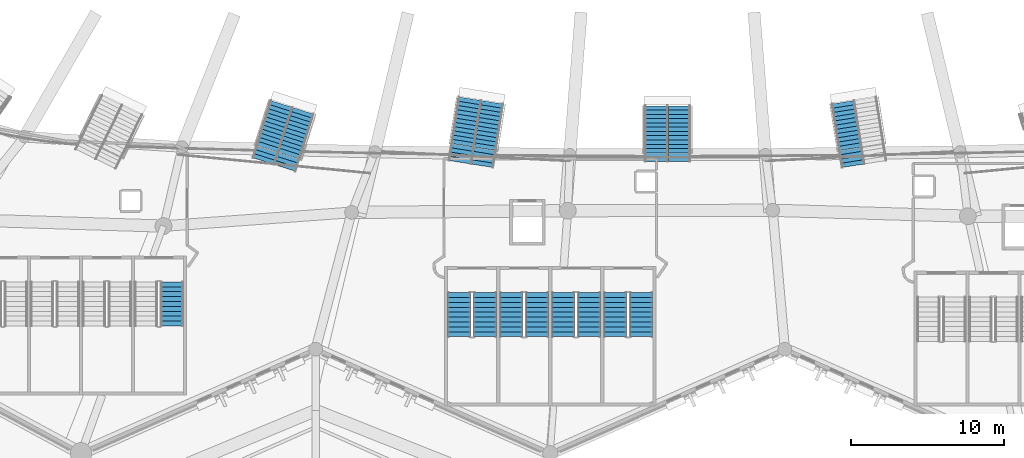
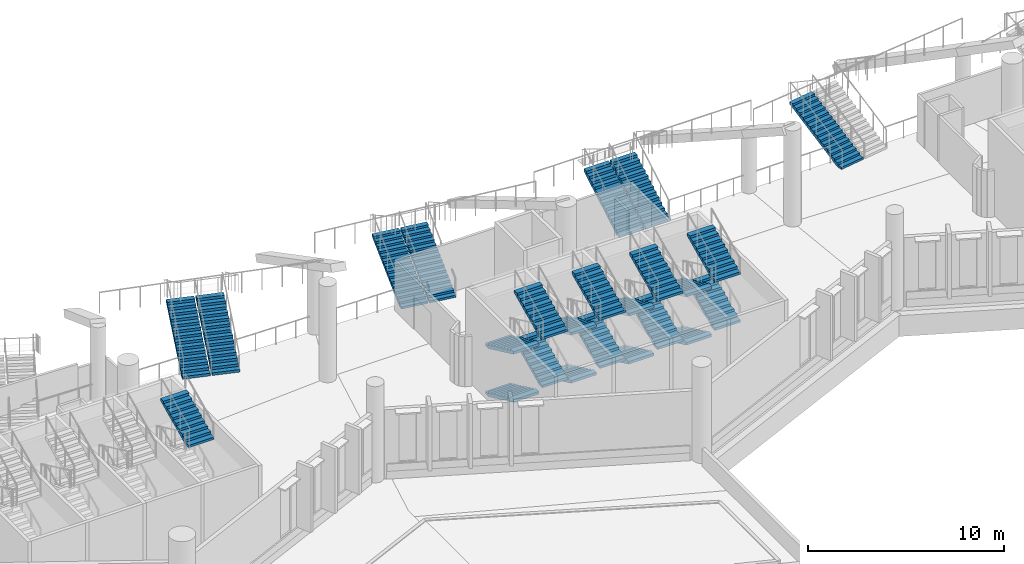
# One storey, part 83 of 173: 24 stair flights, 9 elements without a shape of their own.
"""IFC4 building model written with IfcOpenShell, lengths in metres."""

from ifc_helpers import new_model, si_unit, direction, frame, origin, place, context, subcontext, project, spatial, polyline, outline, extrude, material, type_object, element, aggregate, save


model = new_model("IFC4")

# Units and contexts
model_context = context("Model", 3, precision=1e-05, world=origin(), true_north=direction((0.0, 1.0)))
body_context = subcontext(model_context, "Body", "Model", "MODEL_VIEW")
ifc_project = project(units=[si_unit("LENGTHUNIT", "METRE"), si_unit("AREAUNIT", "SQUARE_METRE"), si_unit("VOLUMEUNIT", "CUBIC_METRE"), si_unit("PLANEANGLEUNIT", "RADIAN"), si_unit("MASSUNIT", "GRAM", prefix="KILO")], contexts=[model_context])

# Site, building, storey
site_placement = place(None, origin())
site = spatial("IfcSite", under=ifc_project, at=site_placement, CompositionType="ELEMENT")
building_placement = place(site_placement, origin())
building = spatial("IfcBuilding", under=site, at=building_placement, Name="Meseta Stadium", CompositionType="ELEMENT")
storey_placement = place(building_placement, frame((0.0, 0.0, 18.0)))
storey = spatial("IfcBuildingStorey", under=building, at=storey_placement, Name="L03", CompositionType="ELEMENT", Elevation=18.0)

# Stair, stair flight
ifc_material_1 = material(Name="Concrete C40/50", Category="concrete")
stair_type_1 = type_object("IfcStairType", Name="Exit stair 4 flights 150 mm risers", PredefinedType="HALF_TURN_STAIR", material=ifc_material_1)
stair_1_placement = place(storey_placement, origin())
stair_1 = element("IfcStair", 1, at=stair_1_placement, inside=storey, type_object=stair_type_1, Name="ST92 L03", PredefinedType="HALF_TURN_STAIR")
ifc_material_2 = material(Name="Concrete C40/50", Category="concrete")
stair_flight_type_1 = type_object("IfcStairFlightType", Name="Exit stair flight 150 mm risers, 4 per storey", PredefinedType="STRAIGHT", material=ifc_material_2)
stair_flight_1_placement = place(storey_placement, frame((-32.38330078125, -97.080078125, 4.5), z_axis=(0.0, 0.0, 1.0), x_axis=(0.0, 1.0, 0.0)))
stair_flight_1 = element("IfcStairFlight", 2, at=stair_flight_1_placement, type_object=stair_flight_type_1, Name="ST92 L03 flight 4", NumberOfRisers=10, NumberOfTreads=9, PredefinedType="STRAIGHT", RiserHeight=0.15, TreadLength=0.32, context=body_context, shape_type="SweptSolid", body=[
    extrude(outline(polyline([(0.0, 0.0), (0.0, 0.14990234375), (0.320068359375, 0.14990234375), (0.320068359375, 0.300048828125), (0.639892578125, 0.300048828125), (0.639892578125, 0.449951171875), (0.9599609375, 0.449951171875), (0.9599609375, 0.60009765625), (1.280029296875, 0.60009765625), (1.280029296875, 0.75), (1.60009765625, 0.75), (1.60009765625, 0.89990234375), (1.919921875, 0.89990234375), (1.919921875, 1.050048828125), (2.239990234375, 1.050048828125), (2.239990234375, 1.199951171875), (2.56005859375, 1.199951171875), (2.56005859375, 1.35009765625), (2.8798828125, 1.35009765625), (2.8798828125, 1.184326171875), (0.353271484375, 0.0), (0.0, 0.0)])), frame((0.0, 0.75, 0.0), z_axis=(0.0, -1.0, 0.0), x_axis=(1.0, 0.0, 0.0)), (0.0, 0.0, 1.0), 1.5),
])
aggregate(stair_1, [stair_flight_1])

# Stair, stair flights
stair_2_placement = place(storey_placement, origin())
stair_2 = element("IfcStair", 3, at=stair_2_placement, inside=storey, type_object=stair_type_1, Name="ST93 L03", PredefinedType="HALF_TURN_STAIR")
stair_flight_2_placement = place(storey_placement, frame((-13.61669921875, -94.89990234375, 0.0), z_axis=(0.0, 0.0, 1.0), x_axis=(0.0, -1.0, 0.0)))
stair_flight_2 = element("IfcStairFlight", 4, at=stair_flight_2_placement, type_object=stair_flight_type_1, Name="ST93 L03 flight 1", NumberOfRisers=10, NumberOfTreads=9, PredefinedType="STRAIGHT", RiserHeight=0.15, TreadLength=0.32, context=body_context, shape_type="SweptSolid", body=[
    extrude(outline(polyline([(0.0, 0.0), (0.0, 0.14990234375), (0.320068359375, 0.14990234375), (0.320068359375, 0.300048828125), (0.639892578125, 0.300048828125), (0.639892578125, 0.449951171875), (0.9599609375, 0.449951171875), (0.9599609375, 0.60009765625), (1.280029296875, 0.60009765625), (1.280029296875, 0.75), (1.60009765625, 0.75), (1.60009765625, 0.89990234375), (1.919921875, 0.89990234375), (1.919921875, 1.050048828125), (2.239990234375, 1.050048828125), (2.239990234375, 1.199951171875), (2.56005859375, 1.199951171875), (2.56005859375, 1.35009765625), (2.8798828125, 1.35009765625), (2.8798828125, 1.184326171875), (0.353271484375, 0.0), (0.0, 0.0)])), frame((0.0, 0.75, 0.0), z_axis=(0.0, -1.0, 0.0), x_axis=(1.0, 0.0, 0.0)), (0.0, 0.0, 1.0), 1.5),
])
stair_flight_3_placement = place(storey_placement, frame((-11.916748046875, -97.780029296875, 1.5), z_axis=(0.0, 0.0, 1.0), x_axis=(0.0, 1.0, 0.0)))
stair_flight_3 = element("IfcStairFlight", 5, at=stair_flight_3_placement, type_object=stair_flight_type_1, Name="ST93 L03 flight 2", NumberOfRisers=10, NumberOfTreads=9, PredefinedType="STRAIGHT", RiserHeight=0.15, TreadLength=0.32, context=body_context, shape_type="SweptSolid", body=[
    extrude(outline(polyline([(0.0, 0.0), (0.0, 0.14990234375), (0.320068359375, 0.14990234375), (0.320068359375, 0.300048828125), (0.639892578125, 0.300048828125), (0.639892578125, 0.449951171875), (0.9599609375, 0.449951171875), (0.9599609375, 0.60009765625), (1.280029296875, 0.60009765625), (1.280029296875, 0.75), (1.60009765625, 0.75), (1.60009765625, 0.89990234375), (1.919921875, 0.89990234375), (1.919921875, 1.050048828125), (2.239990234375, 1.050048828125), (2.239990234375, 1.199951171875), (2.56005859375, 1.199951171875), (2.56005859375, 1.35009765625), (2.8798828125, 1.35009765625), (2.8798828125, 1.184326171875), (0.353271484375, 0.0), (0.0, 0.0)])), frame((0.0, 0.75, 0.0), z_axis=(0.0, -1.0, 0.0), x_axis=(1.0, 0.0, 0.0)), (0.0, 0.0, 1.0), 1.5),
])
stair_flight_4_placement = place(storey_placement, frame((-13.61669921875, -94.89990234375, 3.0), z_axis=(0.0, 0.0, 1.0), x_axis=(0.0, -1.0, 0.0)))
stair_flight_4 = element("IfcStairFlight", 6, at=stair_flight_4_placement, type_object=stair_flight_type_1, Name="ST93 L03 flight 3", NumberOfRisers=10, NumberOfTreads=9, PredefinedType="STRAIGHT", RiserHeight=0.15, TreadLength=0.32, context=body_context, shape_type="SweptSolid", body=[
    extrude(outline(polyline([(0.0, 0.0), (0.0, 0.14990234375), (0.320068359375, 0.14990234375), (0.320068359375, 0.300048828125), (0.639892578125, 0.300048828125), (0.639892578125, 0.449951171875), (0.9599609375, 0.449951171875), (0.9599609375, 0.60009765625), (1.280029296875, 0.60009765625), (1.280029296875, 0.75), (1.60009765625, 0.75), (1.60009765625, 0.89990234375), (1.919921875, 0.89990234375), (1.919921875, 1.050048828125), (2.239990234375, 1.050048828125), (2.239990234375, 1.199951171875), (2.56005859375, 1.199951171875), (2.56005859375, 1.35009765625), (2.8798828125, 1.35009765625), (2.8798828125, 1.184326171875), (0.353271484375, 0.0), (0.0, 0.0)])), frame((0.0, 0.75, 0.0), z_axis=(0.0, -1.0, 0.0), x_axis=(1.0, 0.0, 0.0)), (0.0, 0.0, 1.0), 1.5),
])
stair_flight_5_placement = place(storey_placement, frame((-11.916748046875, -97.780029296875, 4.5), z_axis=(0.0, 0.0, 1.0), x_axis=(0.0, 1.0, 0.0)))
stair_flight_5 = element("IfcStairFlight", 7, at=stair_flight_5_placement, type_object=stair_flight_type_1, Name="ST93 L03 flight 4", NumberOfRisers=10, NumberOfTreads=9, PredefinedType="STRAIGHT", RiserHeight=0.15, TreadLength=0.32, context=body_context, shape_type="SweptSolid", body=[
    extrude(outline(polyline([(0.0, 0.0), (0.0, 0.14990234375), (0.320068359375, 0.14990234375), (0.320068359375, 0.300048828125), (0.639892578125, 0.300048828125), (0.639892578125, 0.449951171875), (0.9599609375, 0.449951171875), (0.9599609375, 0.60009765625), (1.280029296875, 0.60009765625), (1.280029296875, 0.75), (1.60009765625, 0.75), (1.60009765625, 0.89990234375), (1.919921875, 0.89990234375), (1.919921875, 1.050048828125), (2.239990234375, 1.050048828125), (2.239990234375, 1.199951171875), (2.56005859375, 1.199951171875), (2.56005859375, 1.35009765625), (2.8798828125, 1.35009765625), (2.8798828125, 1.184326171875), (0.353271484375, 0.0), (0.0, 0.0)])), frame((0.0, 0.75, 0.0), z_axis=(0.0, -1.0, 0.0), x_axis=(1.0, 0.0, 0.0)), (0.0, 0.0, 1.0), 1.5),
])
aggregate(stair_2, [stair_flight_2, stair_flight_3, stair_flight_4, stair_flight_5])

stair_3_placement = place(storey_placement, origin())
stair_3 = element("IfcStair", 8, at=stair_3_placement, inside=storey, type_object=stair_type_1, Name="ST94 L03", PredefinedType="HALF_TURN_STAIR")
stair_flight_6_placement = place(storey_placement, frame((-10.216552734375, -94.89990234375, 0.0), z_axis=(0.0, 0.0, 1.0), x_axis=(0.0, -1.0, 0.0)))
stair_flight_6 = element("IfcStairFlight", 9, at=stair_flight_6_placement, type_object=stair_flight_type_1, Name="ST94 L03 flight 1", NumberOfRisers=10, NumberOfTreads=9, PredefinedType="STRAIGHT", RiserHeight=0.15, TreadLength=0.32, context=body_context, shape_type="SweptSolid", body=[
    extrude(outline(polyline([(0.0, 0.0), (0.0, 0.14990234375), (0.320068359375, 0.14990234375), (0.320068359375, 0.300048828125), (0.639892578125, 0.300048828125), (0.639892578125, 0.449951171875), (0.9599609375, 0.449951171875), (0.9599609375, 0.60009765625), (1.280029296875, 0.60009765625), (1.280029296875, 0.75), (1.60009765625, 0.75), (1.60009765625, 0.89990234375), (1.919921875, 0.89990234375), (1.919921875, 1.050048828125), (2.239990234375, 1.050048828125), (2.239990234375, 1.199951171875), (2.56005859375, 1.199951171875), (2.56005859375, 1.35009765625), (2.8798828125, 1.35009765625), (2.8798828125, 1.184326171875), (0.353271484375, 0.0), (0.0, 0.0)])), frame((0.0, 0.75, 0.0), z_axis=(0.0, -1.0, 0.0), x_axis=(1.0, 0.0, 0.0)), (0.0, 0.0, 1.0), 1.5),
])
stair_flight_7_placement = place(storey_placement, frame((-8.5166015625, -97.780029296875, 1.5), z_axis=(0.0, 0.0, 1.0), x_axis=(0.0, 1.0, 0.0)))
stair_flight_7 = element("IfcStairFlight", 10, at=stair_flight_7_placement, type_object=stair_flight_type_1, Name="ST94 L03 flight 2", NumberOfRisers=10, NumberOfTreads=9, PredefinedType="STRAIGHT", RiserHeight=0.15, TreadLength=0.32, context=body_context, shape_type="SweptSolid", body=[
    extrude(outline(polyline([(0.0, 0.0), (0.0, 0.14990234375), (0.320068359375, 0.14990234375), (0.320068359375, 0.300048828125), (0.639892578125, 0.300048828125), (0.639892578125, 0.449951171875), (0.9599609375, 0.449951171875), (0.9599609375, 0.60009765625), (1.280029296875, 0.60009765625), (1.280029296875, 0.75), (1.60009765625, 0.75), (1.60009765625, 0.89990234375), (1.919921875, 0.89990234375), (1.919921875, 1.050048828125), (2.239990234375, 1.050048828125), (2.239990234375, 1.199951171875), (2.56005859375, 1.199951171875), (2.56005859375, 1.35009765625), (2.8798828125, 1.35009765625), (2.8798828125, 1.184326171875), (0.353271484375, 0.0), (0.0, 0.0)])), frame((0.0, 0.75, 0.0), z_axis=(0.0, -1.0, 0.0), x_axis=(1.0, 0.0, 0.0)), (0.0, 0.0, 1.0), 1.5),
])
stair_flight_8_placement = place(storey_placement, frame((-10.216552734375, -94.89990234375, 3.0), z_axis=(0.0, 0.0, 1.0), x_axis=(0.0, -1.0, 0.0)))
stair_flight_8 = element("IfcStairFlight", 11, at=stair_flight_8_placement, type_object=stair_flight_type_1, Name="ST94 L03 flight 3", NumberOfRisers=10, NumberOfTreads=9, PredefinedType="STRAIGHT", RiserHeight=0.15, TreadLength=0.32, context=body_context, shape_type="SweptSolid", body=[
    extrude(outline(polyline([(0.0, 0.0), (0.0, 0.14990234375), (0.320068359375, 0.14990234375), (0.320068359375, 0.300048828125), (0.639892578125, 0.300048828125), (0.639892578125, 0.449951171875), (0.9599609375, 0.449951171875), (0.9599609375, 0.60009765625), (1.280029296875, 0.60009765625), (1.280029296875, 0.75), (1.60009765625, 0.75), (1.60009765625, 0.89990234375), (1.919921875, 0.89990234375), (1.919921875, 1.050048828125), (2.239990234375, 1.050048828125), (2.239990234375, 1.199951171875), (2.56005859375, 1.199951171875), (2.56005859375, 1.35009765625), (2.8798828125, 1.35009765625), (2.8798828125, 1.184326171875), (0.353271484375, 0.0), (0.0, 0.0)])), frame((0.0, 0.75, 0.0), z_axis=(0.0, -1.0, 0.0), x_axis=(1.0, 0.0, 0.0)), (0.0, 0.0, 1.0), 1.5),
])
stair_flight_9_placement = place(storey_placement, frame((-8.5166015625, -97.780029296875, 4.5), z_axis=(0.0, 0.0, 1.0), x_axis=(0.0, 1.0, 0.0)))
stair_flight_9 = element("IfcStairFlight", 12, at=stair_flight_9_placement, type_object=stair_flight_type_1, Name="ST94 L03 flight 4", NumberOfRisers=10, NumberOfTreads=9, PredefinedType="STRAIGHT", RiserHeight=0.15, TreadLength=0.32, context=body_context, shape_type="SweptSolid", body=[
    extrude(outline(polyline([(0.0, 0.0), (0.0, 0.14990234375), (0.320068359375, 0.14990234375), (0.320068359375, 0.300048828125), (0.639892578125, 0.300048828125), (0.639892578125, 0.449951171875), (0.9599609375, 0.449951171875), (0.9599609375, 0.60009765625), (1.280029296875, 0.60009765625), (1.280029296875, 0.75), (1.60009765625, 0.75), (1.60009765625, 0.89990234375), (1.919921875, 0.89990234375), (1.919921875, 1.050048828125), (2.239990234375, 1.050048828125), (2.239990234375, 1.199951171875), (2.56005859375, 1.199951171875), (2.56005859375, 1.35009765625), (2.8798828125, 1.35009765625), (2.8798828125, 1.184326171875), (0.353271484375, 0.0), (0.0, 0.0)])), frame((0.0, 0.75, 0.0), z_axis=(0.0, -1.0, 0.0), x_axis=(1.0, 0.0, 0.0)), (0.0, 0.0, 1.0), 1.5),
])
aggregate(stair_3, [stair_flight_6, stair_flight_7, stair_flight_8, stair_flight_9])

stair_4_placement = place(storey_placement, origin())
stair_4 = element("IfcStair", 13, at=stair_4_placement, inside=storey, type_object=stair_type_1, Name="ST95 L03", PredefinedType="HALF_TURN_STAIR")
stair_flight_10_placement = place(storey_placement, frame((-6.816650390625, -94.89990234375, 0.0), z_axis=(0.0, 0.0, 1.0), x_axis=(0.0, -1.0, 0.0)))
stair_flight_10 = element("IfcStairFlight", 14, at=stair_flight_10_placement, type_object=stair_flight_type_1, Name="ST95 L03 flight 1", NumberOfRisers=10, NumberOfTreads=9, PredefinedType="STRAIGHT", RiserHeight=0.15, TreadLength=0.32, context=body_context, shape_type="SweptSolid", body=[
    extrude(outline(polyline([(0.0, 0.0), (0.0, 0.14990234375), (0.320068359375, 0.14990234375), (0.320068359375, 0.300048828125), (0.639892578125, 0.300048828125), (0.639892578125, 0.449951171875), (0.9599609375, 0.449951171875), (0.9599609375, 0.60009765625), (1.280029296875, 0.60009765625), (1.280029296875, 0.75), (1.60009765625, 0.75), (1.60009765625, 0.89990234375), (1.919921875, 0.89990234375), (1.919921875, 1.050048828125), (2.239990234375, 1.050048828125), (2.239990234375, 1.199951171875), (2.56005859375, 1.199951171875), (2.56005859375, 1.35009765625), (2.8798828125, 1.35009765625), (2.8798828125, 1.184326171875), (0.353271484375, 0.0), (0.0, 0.0)])), frame((0.0, 0.75, 0.0), z_axis=(0.0, -1.0, 0.0), x_axis=(1.0, 0.0, 0.0)), (0.0, 0.0, 1.0), 1.5),
])
stair_flight_11_placement = place(storey_placement, frame((-5.11669921875, -97.780029296875, 1.5), z_axis=(0.0, 0.0, 1.0), x_axis=(0.0, 1.0, 0.0)))
stair_flight_11 = element("IfcStairFlight", 15, at=stair_flight_11_placement, type_object=stair_flight_type_1, Name="ST95 L03 flight 2", NumberOfRisers=10, NumberOfTreads=9, PredefinedType="STRAIGHT", RiserHeight=0.15, TreadLength=0.32, context=body_context, shape_type="SweptSolid", body=[
    extrude(outline(polyline([(0.0, 0.0), (0.0, 0.14990234375), (0.320068359375, 0.14990234375), (0.320068359375, 0.300048828125), (0.639892578125, 0.300048828125), (0.639892578125, 0.449951171875), (0.9599609375, 0.449951171875), (0.9599609375, 0.60009765625), (1.280029296875, 0.60009765625), (1.280029296875, 0.75), (1.60009765625, 0.75), (1.60009765625, 0.89990234375), (1.919921875, 0.89990234375), (1.919921875, 1.050048828125), (2.239990234375, 1.050048828125), (2.239990234375, 1.199951171875), (2.56005859375, 1.199951171875), (2.56005859375, 1.35009765625), (2.8798828125, 1.35009765625), (2.8798828125, 1.184326171875), (0.353271484375, 0.0), (0.0, 0.0)])), frame((0.0, 0.75, 0.0), z_axis=(0.0, -1.0, 0.0), x_axis=(1.0, 0.0, 0.0)), (0.0, 0.0, 1.0), 1.5),
])
stair_flight_12_placement = place(storey_placement, frame((-6.816650390625, -94.89990234375, 3.0), z_axis=(0.0, 0.0, 1.0), x_axis=(0.0, -1.0, 0.0)))
stair_flight_12 = element("IfcStairFlight", 16, at=stair_flight_12_placement, type_object=stair_flight_type_1, Name="ST95 L03 flight 3", NumberOfRisers=10, NumberOfTreads=9, PredefinedType="STRAIGHT", RiserHeight=0.15, TreadLength=0.32, context=body_context, shape_type="SweptSolid", body=[
    extrude(outline(polyline([(0.0, 0.0), (0.0, 0.14990234375), (0.320068359375, 0.14990234375), (0.320068359375, 0.300048828125), (0.639892578125, 0.300048828125), (0.639892578125, 0.449951171875), (0.9599609375, 0.449951171875), (0.9599609375, 0.60009765625), (1.280029296875, 0.60009765625), (1.280029296875, 0.75), (1.60009765625, 0.75), (1.60009765625, 0.89990234375), (1.919921875, 0.89990234375), (1.919921875, 1.050048828125), (2.239990234375, 1.050048828125), (2.239990234375, 1.199951171875), (2.56005859375, 1.199951171875), (2.56005859375, 1.35009765625), (2.8798828125, 1.35009765625), (2.8798828125, 1.184326171875), (0.353271484375, 0.0), (0.0, 0.0)])), frame((0.0, 0.75, 0.0), z_axis=(0.0, -1.0, 0.0), x_axis=(1.0, 0.0, 0.0)), (0.0, 0.0, 1.0), 1.5),
])
stair_flight_13_placement = place(storey_placement, frame((-5.11669921875, -97.780029296875, 4.5), z_axis=(0.0, 0.0, 1.0), x_axis=(0.0, 1.0, 0.0)))
stair_flight_13 = element("IfcStairFlight", 17, at=stair_flight_13_placement, type_object=stair_flight_type_1, Name="ST95 L03 flight 4", NumberOfRisers=10, NumberOfTreads=9, PredefinedType="STRAIGHT", RiserHeight=0.15, TreadLength=0.32, context=body_context, shape_type="SweptSolid", body=[
    extrude(outline(polyline([(0.0, 0.0), (0.0, 0.14990234375), (0.320068359375, 0.14990234375), (0.320068359375, 0.300048828125), (0.639892578125, 0.300048828125), (0.639892578125, 0.449951171875), (0.9599609375, 0.449951171875), (0.9599609375, 0.60009765625), (1.280029296875, 0.60009765625), (1.280029296875, 0.75), (1.60009765625, 0.75), (1.60009765625, 0.89990234375), (1.919921875, 0.89990234375), (1.919921875, 1.050048828125), (2.239990234375, 1.050048828125), (2.239990234375, 1.199951171875), (2.56005859375, 1.199951171875), (2.56005859375, 1.35009765625), (2.8798828125, 1.35009765625), (2.8798828125, 1.184326171875), (0.353271484375, 0.0), (0.0, 0.0)])), frame((0.0, 0.75, 0.0), z_axis=(0.0, -1.0, 0.0), x_axis=(1.0, 0.0, 0.0)), (0.0, 0.0, 1.0), 1.5),
])
aggregate(stair_4, [stair_flight_10, stair_flight_11, stair_flight_12, stair_flight_13])

stair_5_placement = place(storey_placement, origin())
stair_5 = element("IfcStair", 18, at=stair_5_placement, inside=storey, type_object=stair_type_1, Name="ST96 L03", PredefinedType="HALF_TURN_STAIR")
stair_flight_14_placement = place(storey_placement, frame((-3.416748046875, -94.89990234375, 0.0), z_axis=(0.0, 0.0, 1.0), x_axis=(0.0, -1.0, 0.0)))
stair_flight_14 = element("IfcStairFlight", 19, at=stair_flight_14_placement, type_object=stair_flight_type_1, Name="ST96 L03 flight 1", NumberOfRisers=10, NumberOfTreads=9, PredefinedType="STRAIGHT", RiserHeight=0.15, TreadLength=0.32, context=body_context, shape_type="SweptSolid", body=[
    extrude(outline(polyline([(0.0, 0.0), (0.0, 0.14990234375), (0.320068359375, 0.14990234375), (0.320068359375, 0.300048828125), (0.639892578125, 0.300048828125), (0.639892578125, 0.449951171875), (0.9599609375, 0.449951171875), (0.9599609375, 0.60009765625), (1.280029296875, 0.60009765625), (1.280029296875, 0.75), (1.60009765625, 0.75), (1.60009765625, 0.89990234375), (1.919921875, 0.89990234375), (1.919921875, 1.050048828125), (2.239990234375, 1.050048828125), (2.239990234375, 1.199951171875), (2.56005859375, 1.199951171875), (2.56005859375, 1.35009765625), (2.8798828125, 1.35009765625), (2.8798828125, 1.184326171875), (0.353271484375, 0.0), (0.0, 0.0)])), frame((0.0, 0.75, 0.0), z_axis=(0.0, -1.0, 0.0), x_axis=(1.0, 0.0, 0.0)), (0.0, 0.0, 1.0), 1.5),
])
stair_flight_15_placement = place(storey_placement, frame((-1.716552734375, -97.780029296875, 1.5), z_axis=(0.0, 0.0, 1.0), x_axis=(0.0, 1.0, 0.0)))
stair_flight_15 = element("IfcStairFlight", 20, at=stair_flight_15_placement, type_object=stair_flight_type_1, Name="ST96 L03 flight 2", NumberOfRisers=10, NumberOfTreads=9, PredefinedType="STRAIGHT", RiserHeight=0.15, TreadLength=0.32, context=body_context, shape_type="SweptSolid", body=[
    extrude(outline(polyline([(0.0, 0.0), (0.0, 0.14990234375), (0.320068359375, 0.14990234375), (0.320068359375, 0.300048828125), (0.639892578125, 0.300048828125), (0.639892578125, 0.449951171875), (0.9599609375, 0.449951171875), (0.9599609375, 0.60009765625), (1.280029296875, 0.60009765625), (1.280029296875, 0.75), (1.60009765625, 0.75), (1.60009765625, 0.89990234375), (1.919921875, 0.89990234375), (1.919921875, 1.050048828125), (2.239990234375, 1.050048828125), (2.239990234375, 1.199951171875), (2.56005859375, 1.199951171875), (2.56005859375, 1.35009765625), (2.8798828125, 1.35009765625), (2.8798828125, 1.184326171875), (0.353271484375, 0.0), (0.0, 0.0)])), frame((0.0, 0.75, 0.0), z_axis=(0.0, -1.0, 0.0), x_axis=(1.0, 0.0, 0.0)), (0.0, 0.0, 1.0), 1.5),
])
stair_flight_16_placement = place(storey_placement, frame((-3.416748046875, -94.89990234375, 3.0), z_axis=(0.0, 0.0, 1.0), x_axis=(0.0, -1.0, 0.0)))
stair_flight_16 = element("IfcStairFlight", 21, at=stair_flight_16_placement, type_object=stair_flight_type_1, Name="ST96 L03 flight 3", NumberOfRisers=10, NumberOfTreads=9, PredefinedType="STRAIGHT", RiserHeight=0.15, TreadLength=0.32, context=body_context, shape_type="SweptSolid", body=[
    extrude(outline(polyline([(0.0, 0.0), (0.0, 0.14990234375), (0.320068359375, 0.14990234375), (0.320068359375, 0.300048828125), (0.639892578125, 0.300048828125), (0.639892578125, 0.449951171875), (0.9599609375, 0.449951171875), (0.9599609375, 0.60009765625), (1.280029296875, 0.60009765625), (1.280029296875, 0.75), (1.60009765625, 0.75), (1.60009765625, 0.89990234375), (1.919921875, 0.89990234375), (1.919921875, 1.050048828125), (2.239990234375, 1.050048828125), (2.239990234375, 1.199951171875), (2.56005859375, 1.199951171875), (2.56005859375, 1.35009765625), (2.8798828125, 1.35009765625), (2.8798828125, 1.184326171875), (0.353271484375, 0.0), (0.0, 0.0)])), frame((0.0, 0.75, 0.0), z_axis=(0.0, -1.0, 0.0), x_axis=(1.0, 0.0, 0.0)), (0.0, 0.0, 1.0), 1.5),
])
stair_flight_17_placement = place(storey_placement, frame((-1.716552734375, -97.780029296875, 4.5), z_axis=(0.0, 0.0, 1.0), x_axis=(0.0, 1.0, 0.0)))
stair_flight_17 = element("IfcStairFlight", 22, at=stair_flight_17_placement, type_object=stair_flight_type_1, Name="ST96 L03 flight 4", NumberOfRisers=10, NumberOfTreads=9, PredefinedType="STRAIGHT", RiserHeight=0.15, TreadLength=0.32, context=body_context, shape_type="SweptSolid", body=[
    extrude(outline(polyline([(0.0, 0.0), (0.0, 0.14990234375), (0.320068359375, 0.14990234375), (0.320068359375, 0.300048828125), (0.639892578125, 0.300048828125), (0.639892578125, 0.449951171875), (0.9599609375, 0.449951171875), (0.9599609375, 0.60009765625), (1.280029296875, 0.60009765625), (1.280029296875, 0.75), (1.60009765625, 0.75), (1.60009765625, 0.89990234375), (1.919921875, 0.89990234375), (1.919921875, 1.050048828125), (2.239990234375, 1.050048828125), (2.239990234375, 1.199951171875), (2.56005859375, 1.199951171875), (2.56005859375, 1.35009765625), (2.8798828125, 1.35009765625), (2.8798828125, 1.184326171875), (0.353271484375, 0.0), (0.0, 0.0)])), frame((0.0, 0.75, 0.0), z_axis=(0.0, -1.0, 0.0), x_axis=(1.0, 0.0, 0.0)), (0.0, 0.0, 1.0), 1.5),
])
aggregate(stair_5, [stair_flight_14, stair_flight_15, stair_flight_16, stair_flight_17])

ifc_material_3 = material(Name="Concrete C40/50", Category="concrete")
stair_type_2 = type_object("IfcStairType", Name="Vomitory stair 3000", PredefinedType="STRAIGHT_RUN_STAIR", material=ifc_material_3)
stair_6_placement = place(storey_placement, origin())
stair_6 = element("IfcStair", 23, at=stair_6_placement, inside=storey, type_object=stair_type_2, Name="Vomitory V-upper-45", PredefinedType="STRAIGHT_RUN_STAIR")
ifc_material_4 = material(Name="Concrete C40/50", Category="concrete")
stair_flight_type_2 = type_object("IfcStairFlightType", Name="Vomitory stair flight 1450", PredefinedType="STRAIGHT", material=ifc_material_4)
stair_flight_18_placement = place(storey_placement, frame((-26.451416015625, -86.29052734375, 0.0), z_axis=(0.0, 0.0, 1.0), x_axis=(0.302579501013, 0.953124150133, 0.0)))
stair_flight_18 = element("IfcStairFlight", 24, at=stair_flight_18_placement, type_object=stair_flight_type_2, Name="Vomitory V-upper-45 flight 1", NumberOfRisers=15, NumberOfTreads=14, PredefinedType="STRAIGHT", RiserHeight=0.165024, TreadLength=0.28, context=body_context, shape_type="SweptSolid", body=[
    extrude(outline(polyline([(0.0, 0.0), (0.0, 0.1650390625), (0.280029296875, 0.1650390625), (0.280029296875, 0.330078125), (0.56005859375, 0.330078125), (0.56005859375, 0.4951171875), (0.840087890625, 0.4951171875), (0.840087890625, 0.66015625), (1.1201171875, 0.66015625), (1.1201171875, 0.8251953125), (1.39990234375, 0.8251953125), (1.39990234375, 0.990234375), (1.679931640625, 0.990234375), (1.679931640625, 1.1552734375), (1.9599609375, 1.1552734375), (1.9599609375, 1.3203125), (2.239990234375, 1.3203125), (2.239990234375, 1.485107421875), (2.52001953125, 1.485107421875), (2.52001953125, 1.650146484375), (2.800048828125, 1.650146484375), (2.800048828125, 1.815185546875), (3.080078125, 1.815185546875), (3.080078125, 1.980224609375), (3.360107421875, 1.980224609375), (3.360107421875, 2.145263671875), (3.639892578125, 2.145263671875), (3.639892578125, 2.310302734375), (3.919921875, 2.310302734375), (3.919921875, 2.13623046875), (0.295166015625, 0.0), (0.0, 0.0)])), frame((0.0, 0.72509765625, 0.0), z_axis=(0.0, -1.0, 0.0), x_axis=(1.0, 0.0, 0.0)), (0.0, 0.0, 1.0), 1.449951171875),
])
stair_flight_19_placement = place(storey_placement, frame((-24.97412109375, -86.759521484375, 0.0), z_axis=(0.0, 0.0, 1.0), x_axis=(0.302579501013, 0.953124150133, 0.0)))
stair_flight_19 = element("IfcStairFlight", 25, at=stair_flight_19_placement, type_object=stair_flight_type_2, Name="Vomitory V-upper-45 flight 2", NumberOfRisers=15, NumberOfTreads=14, PredefinedType="STRAIGHT", RiserHeight=0.165024, TreadLength=0.28, context=body_context, shape_type="SweptSolid", body=[
    extrude(outline(polyline([(0.0, 0.0), (0.0, 0.1650390625), (0.280029296875, 0.1650390625), (0.280029296875, 0.330078125), (0.56005859375, 0.330078125), (0.56005859375, 0.4951171875), (0.840087890625, 0.4951171875), (0.840087890625, 0.66015625), (1.1201171875, 0.66015625), (1.1201171875, 0.8251953125), (1.39990234375, 0.8251953125), (1.39990234375, 0.990234375), (1.679931640625, 0.990234375), (1.679931640625, 1.1552734375), (1.9599609375, 1.1552734375), (1.9599609375, 1.3203125), (2.239990234375, 1.3203125), (2.239990234375, 1.485107421875), (2.52001953125, 1.485107421875), (2.52001953125, 1.650146484375), (2.800048828125, 1.650146484375), (2.800048828125, 1.815185546875), (3.080078125, 1.815185546875), (3.080078125, 1.980224609375), (3.360107421875, 1.980224609375), (3.360107421875, 2.145263671875), (3.639892578125, 2.145263671875), (3.639892578125, 2.310302734375), (3.919921875, 2.310302734375), (3.919921875, 2.13623046875), (0.295166015625, 0.0), (0.0, 0.0)])), frame((0.0, 0.72509765625, 0.0), z_axis=(0.0, -1.0, 0.0), x_axis=(1.0, 0.0, 0.0)), (0.0, 0.0, 1.0), 1.449951171875),
])
aggregate(stair_6, [stair_flight_18, stair_flight_19])

stair_7_placement = place(storey_placement, origin())
stair_7 = element("IfcStair", 26, at=stair_7_placement, inside=storey, type_object=stair_type_2, Name="Vomitory V-upper-46", PredefinedType="STRAIGHT_RUN_STAIR")
stair_flight_20_placement = place(storey_placement, frame((-13.615478515625, -86.369873046875, 0.0), z_axis=(0.0, 0.0, 1.0), x_axis=(0.15676715754, 0.987635589839, 0.0)))
stair_flight_20 = element("IfcStairFlight", 27, at=stair_flight_20_placement, type_object=stair_flight_type_2, Name="Vomitory V-upper-46 flight 1", NumberOfRisers=16, NumberOfTreads=15, PredefinedType="STRAIGHT", RiserHeight=0.13111, TreadLength=0.28, context=body_context, shape_type="SweptSolid", body=[
    extrude(outline(polyline([(0.0, 0.0), (0.0, 0.131103515625), (0.280029296875, 0.131103515625), (0.280029296875, 0.26220703125), (0.56005859375, 0.26220703125), (0.56005859375, 0.393310546875), (0.840087890625, 0.393310546875), (0.840087890625, 0.5244140625), (1.1201171875, 0.5244140625), (1.1201171875, 0.655517578125), (1.39990234375, 0.655517578125), (1.39990234375, 0.78662109375), (1.679931640625, 0.78662109375), (1.679931640625, 0.917724609375), (1.9599609375, 0.917724609375), (1.9599609375, 1.048828125), (2.239990234375, 1.048828125), (2.239990234375, 1.179931640625), (2.52001953125, 1.179931640625), (2.52001953125, 1.31103515625), (2.800048828125, 1.31103515625), (2.800048828125, 1.442138671875), (3.080078125, 1.442138671875), (3.080078125, 1.5732421875), (3.360107421875, 1.5732421875), (3.360107421875, 1.704345703125), (3.639892578125, 1.704345703125), (3.639892578125, 1.83544921875), (3.919921875, 1.83544921875), (3.919921875, 1.966552734375), (4.199951171875, 1.966552734375), (4.199951171875, 1.801025390625), (0.353515625, 0.0), (0.0, 0.0)])), frame((0.0, 0.72509765625, 0.0), z_axis=(0.0, -1.0, 0.0), x_axis=(1.0, 0.0, 0.0)), (0.0, 0.0, 1.0), 1.449951171875),
])
stair_flight_21_placement = place(storey_placement, frame((-12.084716796875, -86.61279296875, 0.0), z_axis=(0.0, 0.0, 1.0), x_axis=(0.15676715754, 0.987635589839, 0.0)))
stair_flight_21 = element("IfcStairFlight", 28, at=stair_flight_21_placement, type_object=stair_flight_type_2, Name="Vomitory V-upper-46 flight 2", NumberOfRisers=16, NumberOfTreads=15, PredefinedType="STRAIGHT", RiserHeight=0.13111, TreadLength=0.28, context=body_context, shape_type="SweptSolid", body=[
    extrude(outline(polyline([(0.0, 0.0), (0.0, 0.131103515625), (0.280029296875, 0.131103515625), (0.280029296875, 0.26220703125), (0.56005859375, 0.26220703125), (0.56005859375, 0.393310546875), (0.840087890625, 0.393310546875), (0.840087890625, 0.5244140625), (1.1201171875, 0.5244140625), (1.1201171875, 0.655517578125), (1.39990234375, 0.655517578125), (1.39990234375, 0.78662109375), (1.679931640625, 0.78662109375), (1.679931640625, 0.917724609375), (1.9599609375, 0.917724609375), (1.9599609375, 1.048828125), (2.239990234375, 1.048828125), (2.239990234375, 1.179931640625), (2.52001953125, 1.179931640625), (2.52001953125, 1.31103515625), (2.800048828125, 1.31103515625), (2.800048828125, 1.442138671875), (3.080078125, 1.442138671875), (3.080078125, 1.5732421875), (3.360107421875, 1.5732421875), (3.360107421875, 1.704345703125), (3.639892578125, 1.704345703125), (3.639892578125, 1.83544921875), (3.919921875, 1.83544921875), (3.919921875, 1.966552734375), (4.199951171875, 1.966552734375), (4.199951171875, 1.801025390625), (0.353515625, 0.0), (0.0, 0.0)])), frame((0.0, 0.72509765625, 0.0), z_axis=(0.0, -1.0, 0.0), x_axis=(1.0, 0.0, 0.0)), (0.0, 0.0, 1.0), 1.449951171875),
])
aggregate(stair_7, [stair_flight_20, stair_flight_21])

stair_8_placement = place(storey_placement, origin())
stair_8 = element("IfcStair", 29, at=stair_8_placement, inside=storey, type_object=stair_type_2, Name="Vomitory V-upper-47", PredefinedType="STRAIGHT_RUN_STAIR")
stair_flight_22_placement = place(storey_placement, frame((-0.77490234375, -86.326904296875, 0.0), z_axis=(0.0, 0.0, 1.0), x_axis=(0.0, 1.0, 0.0)))
stair_flight_22 = element("IfcStairFlight", 30, at=stair_flight_22_placement, type_object=stair_flight_type_2, Name="Vomitory V-upper-47 flight 1", NumberOfRisers=14, NumberOfTreads=13, PredefinedType="STRAIGHT", RiserHeight=0.163093, TreadLength=0.28, context=body_context, shape_type="SweptSolid", body=[
    extrude(outline(polyline([(0.0, 0.0), (0.0, 0.1630859375), (0.280029296875, 0.1630859375), (0.280029296875, 0.326171875), (0.56005859375, 0.326171875), (0.56005859375, 0.4892578125), (0.840087890625, 0.4892578125), (0.840087890625, 0.65234375), (1.1201171875, 0.65234375), (1.1201171875, 0.8154296875), (1.39990234375, 0.8154296875), (1.39990234375, 0.978515625), (1.679931640625, 0.978515625), (1.679931640625, 1.1416015625), (1.9599609375, 1.1416015625), (1.9599609375, 1.3046875), (2.239990234375, 1.3046875), (2.239990234375, 1.4677734375), (2.52001953125, 1.4677734375), (2.52001953125, 1.630859375), (2.800048828125, 1.630859375), (2.800048828125, 1.7939453125), (3.080078125, 1.7939453125), (3.080078125, 1.95703125), (3.360107421875, 1.95703125), (3.360107421875, 2.1201171875), (3.639892578125, 2.1201171875), (3.639892578125, 1.94677734375), (0.2978515625, 0.0), (0.0, 0.0)])), frame((0.0, 0.72509765625, 0.0), z_axis=(0.0, -1.0, 0.0), x_axis=(1.0, 0.0, 0.0)), (0.0, 0.0, 1.0), 1.449951171875),
])
stair_flight_23_placement = place(storey_placement, frame((0.77490234375, -86.326904296875, 0.0), z_axis=(0.0, 0.0, 1.0), x_axis=(0.0, 1.0, 0.0)))
stair_flight_23 = element("IfcStairFlight", 31, at=stair_flight_23_placement, type_object=stair_flight_type_2, Name="Vomitory V-upper-47 flight 2", NumberOfRisers=14, NumberOfTreads=13, PredefinedType="STRAIGHT", RiserHeight=0.163093, TreadLength=0.28, context=body_context, shape_type="SweptSolid", body=[
    extrude(outline(polyline([(0.0, 0.0), (0.0, 0.1630859375), (0.280029296875, 0.1630859375), (0.280029296875, 0.326171875), (0.56005859375, 0.326171875), (0.56005859375, 0.4892578125), (0.840087890625, 0.4892578125), (0.840087890625, 0.65234375), (1.1201171875, 0.65234375), (1.1201171875, 0.8154296875), (1.39990234375, 0.8154296875), (1.39990234375, 0.978515625), (1.679931640625, 0.978515625), (1.679931640625, 1.1416015625), (1.9599609375, 1.1416015625), (1.9599609375, 1.3046875), (2.239990234375, 1.3046875), (2.239990234375, 1.4677734375), (2.52001953125, 1.4677734375), (2.52001953125, 1.630859375), (2.800048828125, 1.630859375), (2.800048828125, 1.7939453125), (3.080078125, 1.7939453125), (3.080078125, 1.95703125), (3.360107421875, 1.95703125), (3.360107421875, 2.1201171875), (3.639892578125, 2.1201171875), (3.639892578125, 1.94677734375), (0.2978515625, 0.0), (0.0, 0.0)])), frame((0.0, 0.72509765625, 0.0), z_axis=(0.0, -1.0, 0.0), x_axis=(1.0, 0.0, 0.0)), (0.0, 0.0, 1.0), 1.449951171875),
])
aggregate(stair_8, [stair_flight_22, stair_flight_23])

# Stair, stair flight
stair_9_placement = place(storey_placement, origin())
stair_9 = element("IfcStair", 32, at=stair_9_placement, inside=storey, type_object=stair_type_2, Name="Vomitory V-upper-48", PredefinedType="STRAIGHT_RUN_STAIR")
stair_flight_24_placement = place(storey_placement, frame((12.084716796875, -86.61279296875, 0.0), z_axis=(0.0, 0.0, 1.0), x_axis=(-0.15676715754, 0.987635589839, 0.0)))
stair_flight_24 = element("IfcStairFlight", 33, at=stair_flight_24_placement, type_object=stair_flight_type_2, Name="Vomitory V-upper-48 flight 1", NumberOfRisers=16, NumberOfTreads=15, PredefinedType="STRAIGHT", RiserHeight=0.13111, TreadLength=0.28, context=body_context, shape_type="SweptSolid", body=[
    extrude(outline(polyline([(0.0, 0.0), (0.0, 0.131103515625), (0.280029296875, 0.131103515625), (0.280029296875, 0.26220703125), (0.56005859375, 0.26220703125), (0.56005859375, 0.393310546875), (0.840087890625, 0.393310546875), (0.840087890625, 0.5244140625), (1.1201171875, 0.5244140625), (1.1201171875, 0.655517578125), (1.39990234375, 0.655517578125), (1.39990234375, 0.78662109375), (1.679931640625, 0.78662109375), (1.679931640625, 0.917724609375), (1.9599609375, 0.917724609375), (1.9599609375, 1.048828125), (2.239990234375, 1.048828125), (2.239990234375, 1.179931640625), (2.52001953125, 1.179931640625), (2.52001953125, 1.31103515625), (2.800048828125, 1.31103515625), (2.800048828125, 1.442138671875), (3.080078125, 1.442138671875), (3.080078125, 1.5732421875), (3.360107421875, 1.5732421875), (3.360107421875, 1.704345703125), (3.639892578125, 1.704345703125), (3.639892578125, 1.83544921875), (3.919921875, 1.83544921875), (3.919921875, 1.966552734375), (4.199951171875, 1.966552734375), (4.199951171875, 1.801025390625), (0.353515625, 0.0), (0.0, 0.0)])), frame((0.0, 0.72509765625, 0.0), z_axis=(0.0, -1.0, 0.0), x_axis=(1.0, 0.0, 0.0)), (0.0, 0.0, 1.0), 1.449951171875),
])
aggregate(stair_9, [stair_flight_24])

save(model, "model.ifc")
